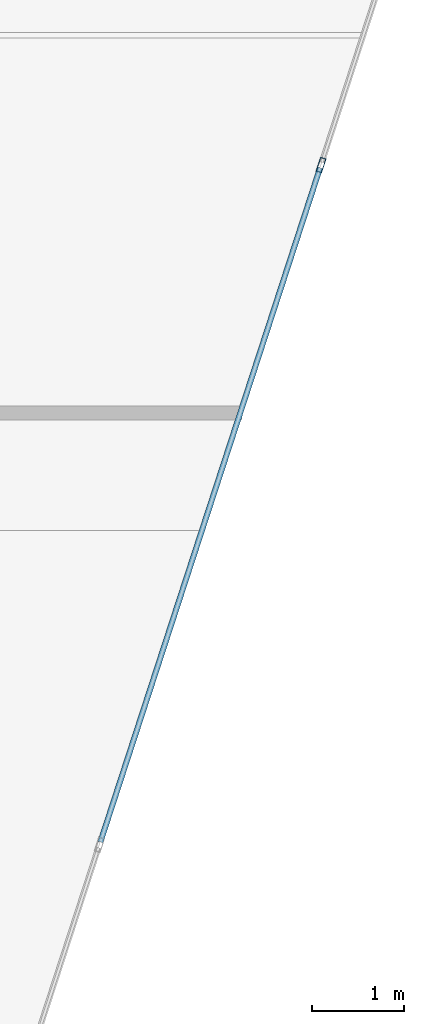
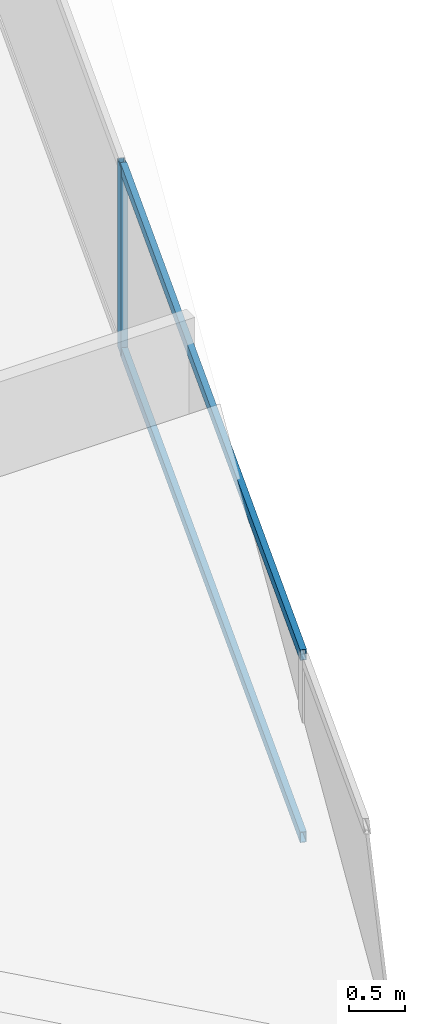
# One storey, part 9 of 13: 3 members, 1 element without a shape of its own.
"""IFC4 building model written with IfcOpenShell, lengths in metres."""

from ifc_helpers import new_model, si_unit, direction, frame, origin, origin_2d, place, context, subcontext, project, spatial, hollow_rectangle, extrude, material, layer, layer_set, material_profile, profile_set, type_object, element, aggregate, save


model = new_model("IFC4")

# Units and contexts
model_context = context("Model", 3, precision=1e-05, world=origin(), true_north=direction((0.0, 1.0)))
body_context = subcontext(model_context, "Body", "Model", "MODEL_VIEW")
ifc_project = project(units=[si_unit("LENGTHUNIT", "METRE"), si_unit("AREAUNIT", "SQUARE_METRE"), si_unit("VOLUMEUNIT", "CUBIC_METRE"), si_unit("PLANEANGLEUNIT", "RADIAN"), si_unit("MASSUNIT", "GRAM", prefix="KILO")], contexts=[model_context])

# Site, building, storey
site_placement = place(None, origin())
site = spatial("IfcSite", under=ifc_project, at=site_placement, CompositionType="ELEMENT")
building_placement = place(site_placement, origin())
building = spatial("IfcBuilding", under=site, at=building_placement, Name="Qianvela Tower", CompositionType="ELEMENT")
storey_placement = place(building_placement, frame((0.0, 0.0, 375.050048828125)))
storey = spatial("IfcBuildingStorey", under=building, at=storey_placement, Name="L97", CompositionType="ELEMENT", Elevation=375.050048828125)

# Curtain wall, members
ifc_material_1 = material(Name="Anodised Architectural Aluminium and Low-E Glass", Category="aluminium")
ifc_layer = layer(ifc_material_1, 0.159912109375)
ifc_layer_set = layer_set([ifc_layer], Name="Anodised Architectural Aluminium and Low-E Glass")
curtain_wall_type = type_object("IfcCurtainWallType", Name="CW-CROWN", PredefinedType="USERDEFINED", material=ifc_layer_set)
curtain_wall_placement = place(storey_placement, origin())
curtain_wall = element("IfcCurtainWall", 1, at=curtain_wall_placement, inside=storey, type_object=curtain_wall_type, Name="L97 CW-CROWN Curtain Wall 06", ObjectType="CURTAIN_WALL_SYSTEM", PredefinedType="USERDEFINED")
ifc_material_2 = material(Name="Anodised Architectural Aluminium 6063-T6", Category="aluminium")
ifc_material_profile_1 = material_profile(ifc_material_2, hollow_rectangle(XDim=0.06494140625, YDim=0.159912109375, WallThickness=0.0048828125, at=origin_2d()), Name="ALU-MULL-65x160")
ifc_profile_set_1 = profile_set([ifc_material_profile_1], Name="Anodised Architectural Aluminium 6063-T6")
member_type_1 = type_object("IfcMemberType", Name="CW-CROWN-MULL", PredefinedType="MULLION", material=ifc_profile_set_1)
member_1_placement = place(storey_placement, frame((49.056884765625, 31.98828125, 0.0), z_axis=(0.0, 0.0, 1.0), x_axis=(-0.950786737513, 0.30984605818, 0.0)))
member_1 = element("IfcMember", 2, at=member_1_placement, type_object=member_type_1, Name="CW-8 mullion 4", PredefinedType="MULLION", context=body_context, shape_type="SweptSolid", body=[
    extrude(hollow_rectangle(XDim=0.06494140625, YDim=0.159912109375, WallThickness=0.0048828125, at=origin_2d()), origin(), (0.0, 0.0, 1.0), 2.043701171875),
])
ifc_material_3 = material(Name="Anodised Architectural Aluminium 6063-T6", Category="aluminium")
ifc_material_profile_2 = material_profile(ifc_material_3, hollow_rectangle(XDim=0.06005859375, YDim=0.114990234375, WallThickness=0.00390625, at=origin_2d()), Name="ALU-TRAN-60x115")
ifc_profile_set_2 = profile_set([ifc_material_profile_2], Name="Anodised Architectural Aluminium 6063-T6")
member_type_2 = type_object("IfcMemberType", Name="CW-CROWN-TRAN", PredefinedType="USERDEFINED", material=ifc_profile_set_2)
member_2_placement = place(storey_placement, frame((46.647705078125, 24.595703125, 0.030029296875), z_axis=(0.30986383864, 0.950780942964, 0.0), x_axis=(-0.950780942964, 0.30986383864, 0.0)))
member_2 = element("IfcMember", 3, at=member_2_placement, type_object=member_type_2, Name="CW-8 transom 3.1", ObjectType="TRANSOM", PredefinedType="USERDEFINED", context=body_context, shape_type="SweptSolid", body=[
    extrude(hollow_rectangle(XDim=0.06005859375, YDim=0.114990234375, WallThickness=0.00390625, at=origin_2d()), origin(), (0.0, 0.0, 1.0), 7.74267578125),
])
member_3_placement = place(storey_placement, frame((46.647705078125, 24.595703125, 2.013671875), z_axis=(0.30986383864, 0.950780942964, 0.0), x_axis=(-0.950780942964, 0.30986383864, 0.0)))
member_3 = element("IfcMember", 4, at=member_3_placement, type_object=member_type_2, Name="CW-8 transom 3.2", ObjectType="TRANSOM", PredefinedType="USERDEFINED", context=body_context, shape_type="SweptSolid", body=[
    extrude(hollow_rectangle(XDim=0.06005859375, YDim=0.114990234375, WallThickness=0.00390625, at=origin_2d()), origin(), (0.0, 0.0, 1.0), 7.74267578125),
])
aggregate(curtain_wall, [member_1, member_2, member_3])

save(model, "model.ifc")
